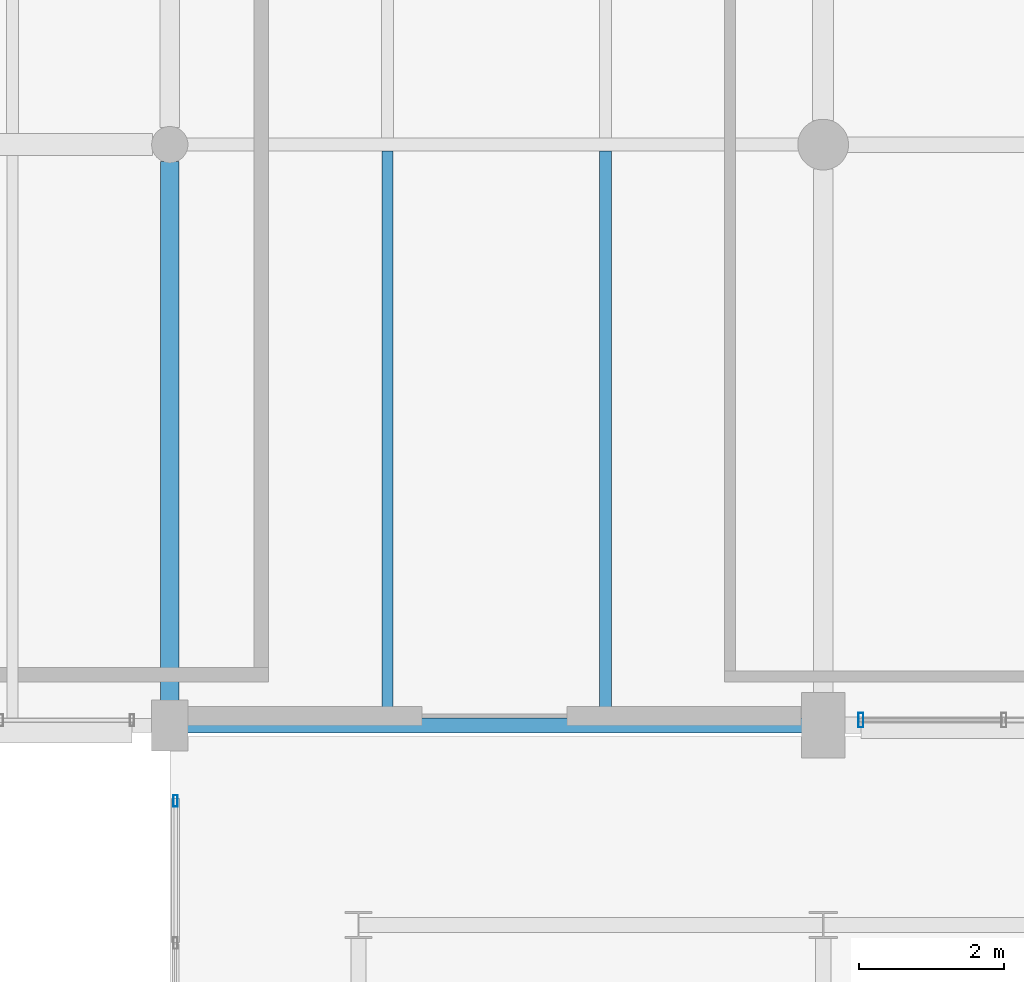
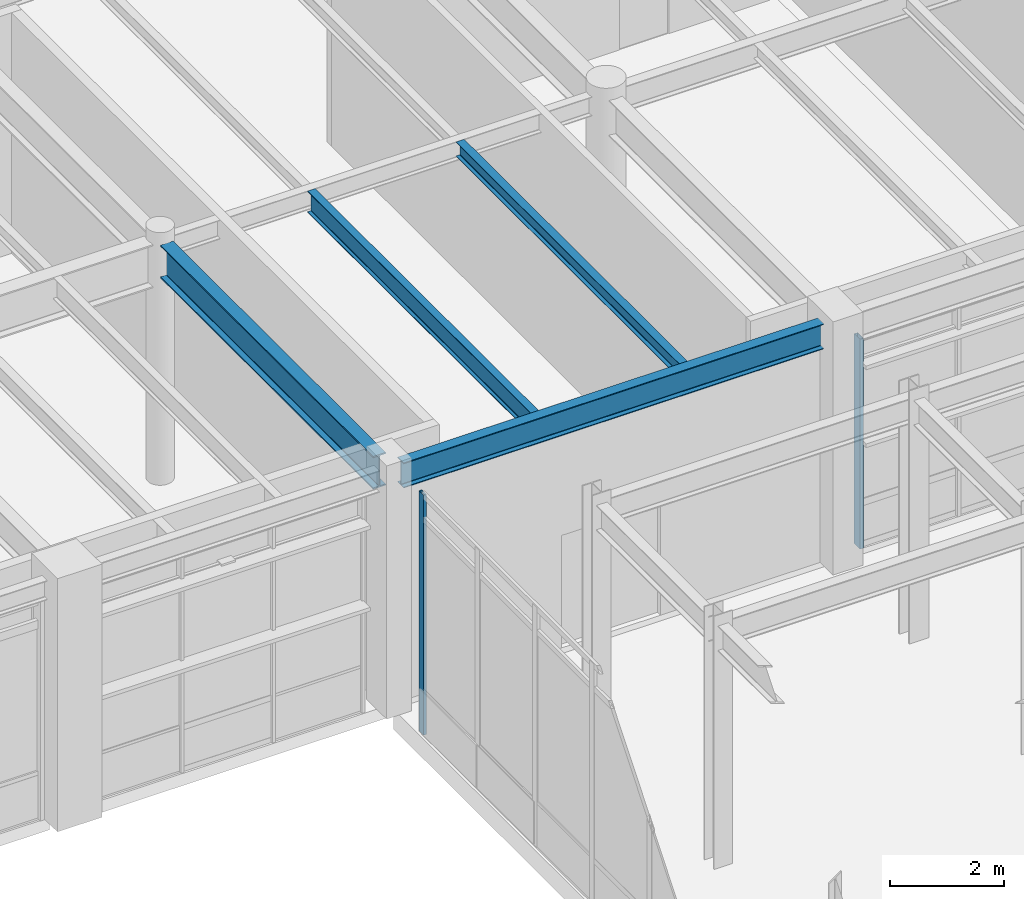
# One storey, part 88 of 203: 4 beams, 2 members, 2 elements without a shape of their own.
"""IFC4 building model written with IfcOpenShell, lengths in metres."""

from ifc_helpers import new_model, si_unit, direction, frame, origin, origin_2d, place, context, subcontext, project, spatial, hollow_rectangle, i_section, extrude, material, material_profile, profile_set, type_object, element, aggregate, save


model = new_model("IFC4")

# Units and contexts
model_context = context("Model", 3, precision=1e-05, world=origin(), true_north=direction((0.0, 1.0)))
body_context = subcontext(model_context, "Body", "Model", "MODEL_VIEW")
ifc_project = project(units=[si_unit("LENGTHUNIT", "METRE"), si_unit("AREAUNIT", "SQUARE_METRE"), si_unit("VOLUMEUNIT", "CUBIC_METRE"), si_unit("PLANEANGLEUNIT", "RADIAN"), si_unit("MASSUNIT", "GRAM", prefix="KILO"), si_unit("THERMODYNAMICTEMPERATUREUNIT", "KELVIN"), si_unit("POWERUNIT", "WATT")], contexts=[model_context])

# Site, building, storey
site_placement = place(None, origin())
site = spatial("IfcSite", under=ifc_project, at=site_placement, CompositionType="ELEMENT")
building_placement = place(site_placement, origin())
building = spatial("IfcBuilding", under=site, at=building_placement, Name="Tepalcoro Natatorium and Aquatics Centre", CompositionType="ELEMENT")
storey_placement = place(building_placement, origin())
storey = spatial("IfcBuildingStorey", under=building, at=storey_placement, Name="L00", CompositionType="ELEMENT", Elevation=0.0)

# Beam
ifc_material_1 = material(Name="Steel ASTM A992 Grade 50 (Fy 345 MPa)", Category="steel")
ifc_material_profile_1 = material_profile(ifc_material_1, i_section(OverallWidth=0.25390625, OverallDepth=0.700927734375, WebThickness=0.014892578125, FlangeThickness=0.028076171875, FilletRadius=0.013916015625, at=origin_2d()), Name="W27X129")
ifc_profile_set_1 = profile_set([ifc_material_profile_1], Name="Steel ASTM A992 Grade 50 (Fy 345 MPa)")
beam_type_1 = type_object("IfcBeamType", Name="BM_W27x129", PredefinedType="BEAM", material=ifc_profile_set_1)
beam_1_placement = place(storey_placement, frame((53.0, 86.3349609375, 4.79443359375), z_axis=(0.0, 1.0, 0.0), x_axis=(-1.0, 0.0, 0.0)))
element("IfcBeam", 1, at=beam_1_placement, inside=storey, type_object=beam_type_1, Name="V4 L00 Grid Girder Y", PredefinedType="BEAM", context=body_context, shape_type="SweptSolid", body=[
    extrude(i_section(OverallWidth=0.25390625, OverallDepth=0.700927734375, WebThickness=0.014892578125, FlangeThickness=0.028076171875, FilletRadius=0.013916015625, at=origin_2d()), origin(), (0.0, 0.0, 1.0), 7.429931640625),
])

# Curtain wall, member
ifc_material_2 = material(Name="Bronze-Anodised Extruded Aluminium Alloy EN AW-6063 T6", Category="aluminium")
curtain_wall_type_1 = type_object("IfcCurtainWallType", Name="CW_LINK_150", PredefinedType="USERDEFINED", material=ifc_material_2)
curtain_wall_1_placement = place(storey_placement, origin())
curtain_wall_1 = element("IfcCurtainWall", 2, at=curtain_wall_1_placement, inside=storey, type_object=curtain_wall_type_1, Name="West Court Swimmers Arcade Glazed Wall W L00", ObjectType="UNITISED STOREFRONT", PredefinedType="USERDEFINED")
ifc_material_profile_2 = material_profile(ifc_material_2, hollow_rectangle(XDim=0.06005859375, YDim=0.159912109375, WallThickness=0.00390625, at=origin_2d()), Name="AL60X160X4")
ifc_profile_set_2 = profile_set([ifc_material_profile_2], Name="Bronze-Anodised Extruded Aluminium Alloy EN AW-6063 T6")
member_type_1 = type_object("IfcMemberType", Name="CW_MUL_60x160", PredefinedType="MULLION", material=ifc_profile_set_2)
member_1_placement = place(storey_placement, frame((53.080078125, 84.9599609375, 0.02001953125), z_axis=(0.0, 0.0, 1.0), x_axis=(1.0, 0.0, 0.0)))
member_1 = element("IfcMember", 3, at=member_1_placement, type_object=member_type_1, Name="CW_LINK_150 Curtain Wall Mullion", PredefinedType="MULLION", context=body_context, shape_type="SweptSolid", body=[
    extrude(hollow_rectangle(XDim=0.06005859375, YDim=0.159912109375, WallThickness=0.00390625, at=origin_2d()), origin(), (0.0, 0.0, 1.0), 5.119873046875),
])
aggregate(curtain_wall_1, [member_1])

curtain_wall_type_2 = type_object("IfcCurtainWallType", Name="CW_LEAN_T1_EW", PredefinedType="USERDEFINED", material=ifc_material_2)
curtain_wall_2_placement = place(storey_placement, origin())
curtain_wall_2 = element("IfcCurtainWall", 4, at=curtain_wall_2_placement, inside=storey, type_object=curtain_wall_type_2, Name="V4 L00 S Unitised Curtain Wall Bay 7", ObjectType="FACETED SOLAR GLAZING", PredefinedType="USERDEFINED")
ifc_material_profile_3 = material_profile(ifc_material_2, hollow_rectangle(XDim=0.070068359375, YDim=0.199951171875, WallThickness=0.0048828125, at=origin_2d()), Name="AL70X200X5")
ifc_profile_set_3 = profile_set([ifc_material_profile_3], Name="Bronze-Anodised Extruded Aluminium Alloy EN AW-6063 T6")
member_type_2 = type_object("IfcMemberType", Name="CW_MUL_70x200", PredefinedType="MULLION", material=ifc_profile_set_3)
member_2_placement = place(storey_placement, frame((62.52001953125, 86.0712890625, 0.02001953125), z_axis=(0.0, 0.0, 1.0), x_axis=(1.0, 0.0, 0.0)))
member_2 = element("IfcMember", 5, at=member_2_placement, type_object=member_type_2, Name="CW_LEAN_T1_EW Curtain Wall Mullion", PredefinedType="MULLION", context=body_context, shape_type="SweptSolid", body=[
    extrude(hollow_rectangle(XDim=0.070068359375, YDim=0.199951171875, WallThickness=0.0048828125, at=origin_2d()), origin(), (0.0, 0.0, 1.0), 4.47802734375),
])
aggregate(curtain_wall_2, [member_2])

# Beams
ifc_material_profile_4 = material_profile(ifc_material_1, i_section(OverallWidth=0.1650390625, OverallDepth=0.31005859375, WebThickness=0.006103515625, FlangeThickness=0.010009765625, FilletRadius=0.013916015625, at=origin_2d()), Name="W12X26")
ifc_profile_set_4 = profile_set([ifc_material_profile_4], Name="Steel ASTM A992 Grade 50 (Fy 345 MPa)")
beam_type_2 = type_object("IfcBeamType", Name="JS_W12x26", PredefinedType="JOIST", material=ifc_profile_set_4)
beam_2_placement = place(storey_placement, frame((59.0, 86.10498046875, 4.989990234375), z_axis=(0.0, 1.0, 0.0), x_axis=(-1.0, 0.0, 0.0)))
element("IfcBeam", 6, at=beam_2_placement, inside=storey, type_object=beam_type_2, Name="V4 L00 Floor Joist", PredefinedType="JOIST", context=body_context, shape_type="SweptSolid", body=[
    extrude(i_section(OverallWidth=0.1650390625, OverallDepth=0.31005859375, WebThickness=0.006103515625, FlangeThickness=0.010009765625, FilletRadius=0.013916015625, at=origin_2d()), origin(), (0.0, 0.0, 1.0), 7.805908203125),
])
ifc_material_profile_5 = material_profile(ifc_material_1, i_section(OverallWidth=0.153076171875, OverallDepth=0.455078125, WebThickness=0.008056640625, FlangeThickness=0.012939453125, FilletRadius=0.013916015625, at=origin_2d()), Name="W18X40")
ifc_profile_set_5 = profile_set([ifc_material_profile_5], Name="Steel ASTM A992 Grade 50 (Fy 345 MPa)")
beam_type_3 = type_object("IfcBeamType", Name="JS_W18x40", PredefinedType="JOIST", material=ifc_profile_set_5)
beam_3_placement = place(storey_placement, frame((56.0, 86.10498046875, 4.91748046875), z_axis=(0.0, 1.0, 0.0), x_axis=(-1.0, 0.0, 0.0)))
element("IfcBeam", 7, at=beam_3_placement, inside=storey, type_object=beam_type_3, Name="V4 L00 Floor Joist", PredefinedType="JOIST", context=body_context, shape_type="SweptSolid", body=[
    extrude(i_section(OverallWidth=0.153076171875, OverallDepth=0.455078125, WebThickness=0.008056640625, FlangeThickness=0.012939453125, FilletRadius=0.013916015625, at=origin_2d()), origin(), (0.0, 0.0, 1.0), 7.805908203125),
])
ifc_material_profile_6 = material_profile(ifc_material_1, i_section(OverallWidth=0.2099609375, OverallDepth=0.535888671875, WebThickness=0.010986328125, FlangeThickness=0.01708984375, FilletRadius=0.013916015625, at=origin_2d()), Name="W21X68")
ifc_profile_set_6 = profile_set([ifc_material_profile_6], Name="Steel ASTM A992 Grade 50 (Fy 345 MPa)")
beam_type_4 = type_object("IfcBeamType", Name="SP_W21x68", PredefinedType="SPANDREL", material=ifc_profile_set_6)
beam_4_placement = place(storey_placement, frame((53.235107421875, 86.0, 4.876953125), z_axis=(1.0, 0.0, 0.0), x_axis=(0.0, 1.0, 0.0)))
element("IfcBeam", 8, at=beam_4_placement, inside=storey, type_object=beam_type_4, Name="V4 L00 Grid Girder X", PredefinedType="SPANDREL", context=body_context, shape_type="SweptSolid", body=[
    extrude(i_section(OverallWidth=0.2099609375, OverallDepth=0.535888671875, WebThickness=0.010986328125, FlangeThickness=0.01708984375, FilletRadius=0.013916015625, at=origin_2d()), origin(), (0.0, 0.0, 1.0), 8.47998046875),
])

save(model, "model.ifc")
